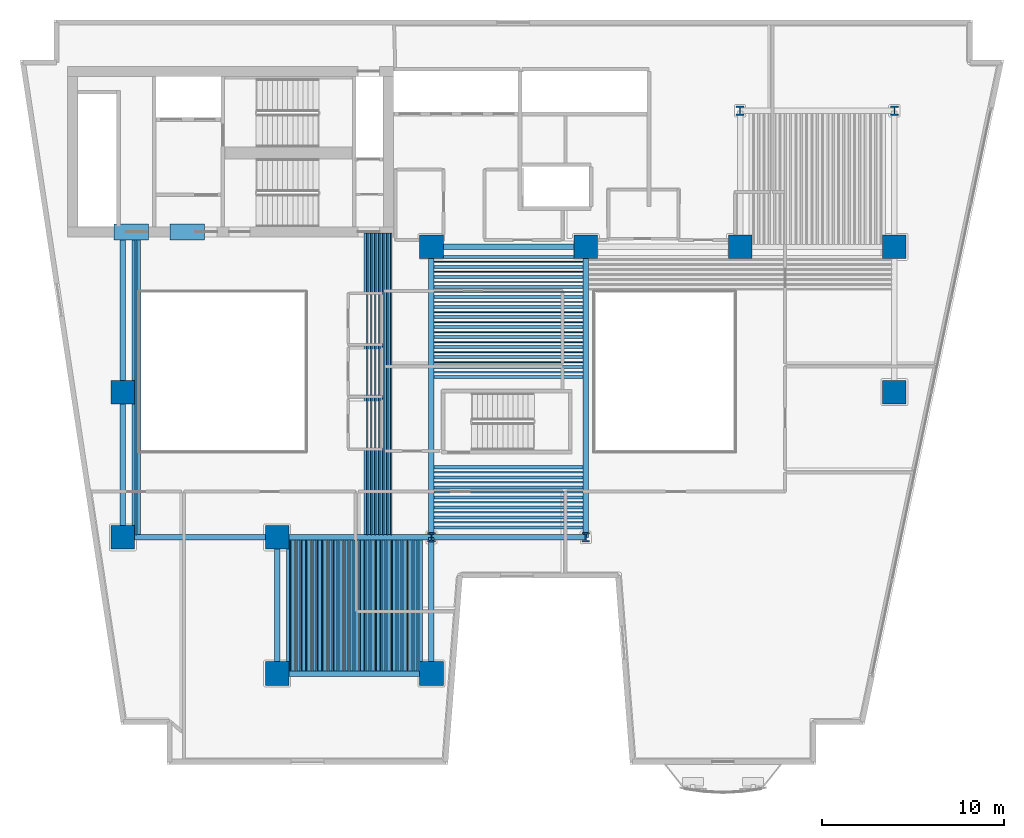
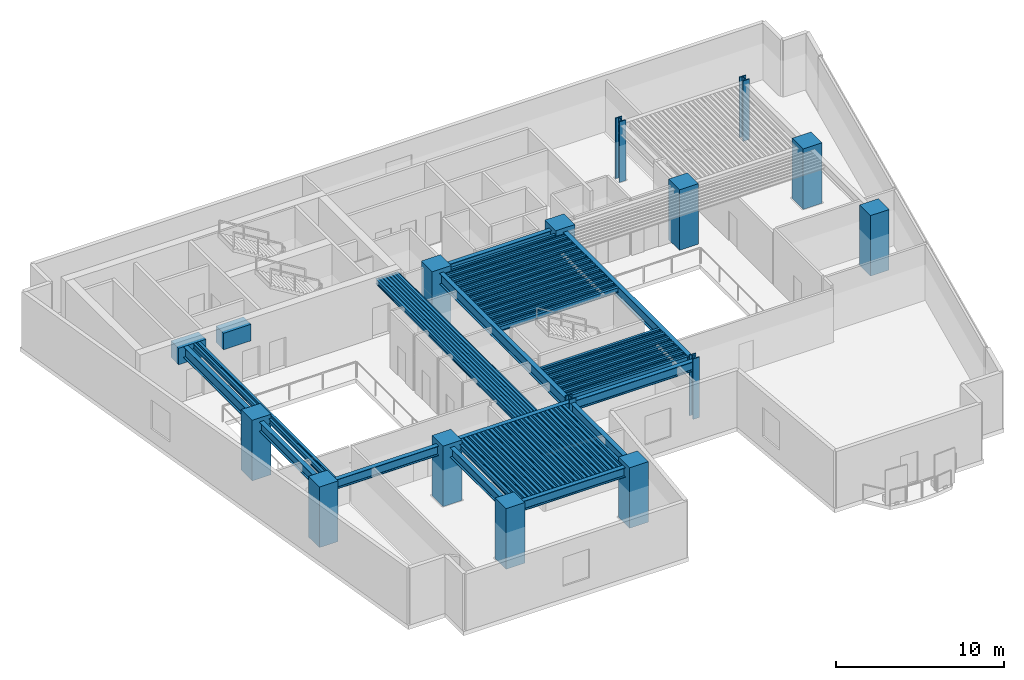
# One storey, part 1 of 11: 119 beams, 14 columns.
"""IFC4 building model written with IfcOpenShell, lengths in metres."""

from ifc_helpers import new_model, si_unit, direction, frame, origin, origin_2d, place, context, subcontext, project, spatial, rectangle, hollow_rectangle, i_section, extrude, material, material_profile, profile_set, type_object, element, save


model = new_model("IFC4")

# Units and contexts
model_context = context("Model", 3, precision=1e-05, world=origin(), true_north=direction((0.0, 1.0)))
body_context = subcontext(model_context, "Body", "Model", "MODEL_VIEW")
ifc_project = project(units=[si_unit("LENGTHUNIT", "METRE"), si_unit("AREAUNIT", "SQUARE_METRE"), si_unit("VOLUMEUNIT", "CUBIC_METRE"), si_unit("PLANEANGLEUNIT", "RADIAN"), si_unit("MASSUNIT", "GRAM", prefix="KILO")], contexts=[model_context])

# Site, building, storey
site_placement = place(None, origin())
site = spatial("IfcSite", under=ifc_project, at=site_placement, CompositionType="ELEMENT")
building_placement = place(site_placement, origin())
building = spatial("IfcBuilding", under=site, at=building_placement, Name="Caeloran Harvest Quay", CompositionType="ELEMENT")
storey_placement = place(building_placement, frame((0.0, 0.0, 75.39990234375)))
storey = spatial("IfcBuildingStorey", under=building, at=storey_placement, Name="L17", CompositionType="ELEMENT", Elevation=75.39990234375)

# Columns
ifc_material_1 = material(Name="Concrete C80/95", Category="concrete")
ifc_material_profile_1 = material_profile(ifc_material_1, rectangle(XDim=1.300048828125, YDim=1.300048828125, at=origin_2d()), Name="RC 1300x1300")
ifc_profile_set_1 = profile_set([ifc_material_profile_1], Name="Concrete C80/95")
column_type_1 = type_object("IfcColumnType", Name="COL-MC-2-RC_1300x1300", PredefinedType="COLUMN", material=ifc_profile_set_1)
for number, where, z_axis, x_axis, name in (
    (1, (8.5, 15.0, 0.0), (0.0, 0.0, 1.0), (1.0, 0.0, 0.0), "L17 Structural Column (8.5, 15.0)"),
    (2, (8.5, 23.0, 0.0), (0.0, 0.0, 1.0), (1.0, 0.0, 0.0), "L17 Structural Column (8.5, 23.0)"),
    (3, (17.0, 7.5, 0.0), (0.0, 0.0, 1.0), (1.0, 0.0, 0.0), "L17 Structural Column (17.0, 7.5)"),
    (4, (17.0, 15.0, 0.0), (0.0, 0.0, 1.0), (1.0, 0.0, 0.0), "L17 Structural Column (17.0, 15.0)"),
    (5, (25.5, 7.5, 0.0), (0.0, 0.0, 1.0), (1.0, 0.0, 0.0), "L17 Structural Column (25.5, 7.5)"),
    (6, (25.5, 31.0, 0.0), (0.0, 0.0, 1.0), (1.0, 0.0, 0.0), "L17 Structural Column (25.5, 31.0)"),
    (7, (34.0, 31.0, 0.0), (0.0, 0.0, 1.0), (1.0, 0.0, 0.0), "L17 Structural Column (34.0, 31.0)"),
    (8, (42.5, 31.0, 0.0), (0.0, 0.0, 1.0), (1.0, 0.0, 0.0), "L17 Structural Column (42.5, 31.0)"),
    (9, (51.0, 23.0, 0.0), (0.0, 0.0, 1.0), (1.0, 0.0, 0.0), "L17 Structural Column (51.0, 23.0)"),
    (10, (51.0, 31.0, 0.0), (0.0, 0.0, 1.0), (1.0, 0.0, 0.0), "L17 Structural Column (51.0, 31.0)"),
):
    element("IfcColumn", number, at=place(storey_placement, frame(where, z_axis=z_axis, x_axis=x_axis)), inside=storey, type_object=column_type_1, Name=name, PredefinedType="COLUMN", context=body_context, shape_type="SweptSolid", body=[
        extrude(rectangle(XDim=1.300048828125, YDim=1.300048828125, at=origin_2d()), origin(), (0.0, 0.0, 1.0), 4.400146484375),
    ])
ifc_material_2 = material(Name="Steel HISTAR 460", Category="steel")
ifc_material_profile_2 = material_profile(ifc_material_2, i_section(OverallWidth=0.43701171875, OverallDepth=0.513916015625, WebThickness=0.060546875, FlangeThickness=0.076904296875, FilletRadius=0.014892578125, at=origin_2d()), Name="HD 400x818")
ifc_profile_set_2 = profile_set([ifc_material_profile_2], Name="Steel HISTAR 460")
column_type_2 = type_object("IfcColumnType", Name="COL-SC-2-HD_400x818", PredefinedType="COLUMN", material=ifc_profile_set_2)
for number, where, z_axis, x_axis, name in (
    (11, (25.5, 15.0, 0.0), (0.0, 0.0, 1.0), (1.0, 0.0, 0.0), "L17 Structural Column (25.5, 15.0)"),
    (12, (34.0, 15.0, 0.0), (0.0, 0.0, 1.0), (1.0, 0.0, 0.0), "L17 Structural Column (34.0, 15.0)"),
    (13, (42.5, 38.5, 0.0), (0.0, 0.0, 1.0), (1.0, 0.0, 0.0), "L17 Structural Column (42.5, 38.5)"),
    (14, (51.0, 38.5, 0.0), (0.0, 0.0, 1.0), (1.0, 0.0, 0.0), "L17 Structural Column (51.0, 38.5)"),
):
    element("IfcColumn", number, at=place(storey_placement, frame(where, z_axis=z_axis, x_axis=x_axis)), inside=storey, type_object=column_type_2, Name=name, PredefinedType="COLUMN", context=body_context, shape_type="SweptSolid", body=[
        extrude(i_section(OverallWidth=0.43701171875, OverallDepth=0.513916015625, WebThickness=0.060546875, FlangeThickness=0.076904296875, FilletRadius=0.014892578125, at=origin_2d()), origin(), (0.0, 0.0, 1.0), 4.400146484375),
    ])

# Beams
ifc_material_profile_3 = material_profile(ifc_material_1, rectangle(XDim=0.89990234375, YDim=1.199951171875, at=origin_2d()), Name="RC 900x1200")
ifc_profile_set_3 = profile_set([ifc_material_profile_3], Name="Concrete C80/95")
beam_type_1 = type_object("IfcBeamType", Name="BM-CB-1-RC_900x1200", PredefinedType="LINTEL", material=ifc_profile_set_3)
for number, where, z_axis, x_axis, name in (
    (15, (8.0, 31.824951171875, 3.51513671875), (1.0, 0.0, 0.0), (0.0, 1.0, 0.0), "L17 Core Coupling Beam 1"),
    (16, (11.10009765625, 31.824951171875, 3.51513671875), (1.0, 0.0, 0.0), (0.0, 1.0, 0.0), "L17 Core Coupling Beam 2"),
):
    element("IfcBeam", number, at=place(storey_placement, frame(where, z_axis=z_axis, x_axis=x_axis)), inside=storey, type_object=beam_type_1, Name=name, PredefinedType="LINTEL", context=body_context, shape_type="SweptSolid", body=[
        extrude(rectangle(XDim=0.89990234375, YDim=1.199951171875, at=origin_2d()), origin(), (0.0, 0.0, 1.0), 1.89990234375),
    ])
ifc_material_3 = material(Name="Steel S355J2", Category="steel")
ifc_material_profile_4 = material_profile(ifc_material_3, i_section(OverallWidth=0.300048828125, OverallDepth=0.800048828125, WebThickness=0.017578125, FlangeThickness=0.032958984375, FilletRadius=0.030029296875, at=origin_2d()), Name="HE 800 B")
ifc_profile_set_4 = profile_set([ifc_material_profile_4], Name="Steel S355J2")
beam_type_2 = type_object("IfcBeamType", Name="BM-PG-1-HE_800_B", PredefinedType="BEAM", material=ifc_profile_set_4)
beam_1_placement = place(storey_placement, frame((8.5, 23.0, 3.715087890625), z_axis=(0.0, 1.0, 0.0), x_axis=(-1.0, 0.0, 0.0)))
element("IfcBeam", 17, at=beam_1_placement, inside=storey, type_object=beam_type_2, Name="L17 Core South Tie Girder X=8.5", PredefinedType="BEAM", context=body_context, shape_type="SweptSolid", body=[
    extrude(i_section(OverallWidth=0.300048828125, OverallDepth=0.800048828125, WebThickness=0.017578125, FlangeThickness=0.032958984375, FilletRadius=0.030029296875, at=origin_2d()), origin(), (0.0, 0.0, 1.0), 8.77490234375),
])
for number, where, z_axis, x_axis, name in (
    (18, (25.5, 15.0, 3.715087890625), (0.0, 1.0, 0.0), (-1.0, 0.0, 0.0), "L17 Primary North-South Girder X=25.5"),
    (19, (34.0, 15.0, 3.715087890625), (0.0, 1.0, 0.0), (-1.0, 0.0, 0.0), "L17 Primary North-South Girder X=34.0"),
):
    element("IfcBeam", number, at=place(storey_placement, frame(where, z_axis=z_axis, x_axis=x_axis)), inside=storey, type_object=beam_type_2, Name=name, PredefinedType="BEAM", context=body_context, shape_type="SweptSolid", body=[
        extrude(i_section(OverallWidth=0.300048828125, OverallDepth=0.800048828125, WebThickness=0.017578125, FlangeThickness=0.032958984375, FilletRadius=0.030029296875, at=origin_2d()), origin(), (0.0, 0.0, 1.0), 16.0),
    ])
ifc_material_profile_5 = material_profile(ifc_material_3, i_section(OverallWidth=0.300048828125, OverallDepth=0.699951171875, WebThickness=0.01708984375, FlangeThickness=0.031982421875, FilletRadius=0.027099609375, at=origin_2d()), Name="HE 700 B")
ifc_profile_set_5 = profile_set([ifc_material_profile_5], Name="Steel S355J2")
beam_type_3 = type_object("IfcBeamType", Name="BM-PG-2-HE_700_B", PredefinedType="BEAM", material=ifc_profile_set_5)
for number, where, z_axis, x_axis, name in (
    (20, (17.0, 7.5, 3.76513671875), (1.0, 0.0, 0.0), (0.0, 1.0, 0.0), "L17 Primary East-West Girder Y=7.5"),
    (21, (8.5, 15.0, 3.76513671875), (1.0, 0.0, 0.0), (0.0, 1.0, 0.0), "L17 Primary East-West Girder Y=15.0"),
    (22, (17.0, 15.0, 3.76513671875), (1.0, 0.0, 0.0), (0.0, 1.0, 0.0), "L17 Primary East-West Girder Y=15.0"),
    (23, (25.5, 15.0, 3.76513671875), (1.0, 0.0, 0.0), (0.0, 1.0, 0.0), "L17 Primary East-West Girder Y=15.0"),
    (24, (25.5, 31.0, 3.76513671875), (1.0, 0.0, 0.0), (0.0, 1.0, 0.0), "L17 Primary East-West Girder Y=31.0"),
):
    element("IfcBeam", number, at=place(storey_placement, frame(where, z_axis=z_axis, x_axis=x_axis)), inside=storey, type_object=beam_type_3, Name=name, PredefinedType="BEAM", context=body_context, shape_type="SweptSolid", body=[
        extrude(i_section(OverallWidth=0.300048828125, OverallDepth=0.699951171875, WebThickness=0.01708984375, FlangeThickness=0.031982421875, FilletRadius=0.027099609375, at=origin_2d()), origin(), (0.0, 0.0, 1.0), 8.5),
    ])
beam_2_placement = place(storey_placement, frame((8.5, 15.0, 3.76513671875), z_axis=(0.0, 1.0, 0.0), x_axis=(-1.0, 0.0, 0.0)))
element("IfcBeam", 25, at=beam_2_placement, inside=storey, type_object=beam_type_3, Name="L17 Primary North-South Girder X=8.5", PredefinedType="BEAM", context=body_context, shape_type="SweptSolid", body=[
    extrude(i_section(OverallWidth=0.300048828125, OverallDepth=0.699951171875, WebThickness=0.01708984375, FlangeThickness=0.031982421875, FilletRadius=0.027099609375, at=origin_2d()), origin(), (0.0, 0.0, 1.0), 8.0),
])
for number, where, z_axis, x_axis, name in (
    (26, (17.0, 7.5, 3.76513671875), (0.0, 1.0, 0.0), (-1.0, 0.0, 0.0), "L17 Primary North-South Girder X=17.0"),
    (27, (25.5, 7.5, 3.76513671875), (0.0, 1.0, 0.0), (-1.0, 0.0, 0.0), "L17 Primary North-South Girder X=25.5"),
):
    element("IfcBeam", number, at=place(storey_placement, frame(where, z_axis=z_axis, x_axis=x_axis)), inside=storey, type_object=beam_type_3, Name=name, PredefinedType="BEAM", context=body_context, shape_type="SweptSolid", body=[
        extrude(i_section(OverallWidth=0.300048828125, OverallDepth=0.699951171875, WebThickness=0.01708984375, FlangeThickness=0.031982421875, FilletRadius=0.027099609375, at=origin_2d()), origin(), (0.0, 0.0, 1.0), 7.5),
    ])
ifc_material_profile_6 = material_profile(ifc_material_3, i_section(OverallWidth=0.169921875, OverallDepth=0.360107421875, WebThickness=0.008056640625, FlangeThickness=0.0126953125, FilletRadius=0.01806640625, at=origin_2d()), Name="IPE 360")
ifc_profile_set_6 = profile_set([ifc_material_profile_6], Name="Steel S355J2")
beam_type_4 = type_object("IfcBeamType", Name="BM-SB-5-IPE_360", PredefinedType="JOIST", material=ifc_profile_set_6)
for number, where, z_axis, x_axis, name in (
    (28, (17.586181640625, 7.64501953125, 3.93505859375), (0.0, 1.0, 0.0), (-1.0, 0.0, 0.0), "L17 Secondary Composite Joist"),
    (29, (17.87939453125, 7.64501953125, 3.93505859375), (0.0, 1.0, 0.0), (-1.0, 0.0, 0.0), "L17 Secondary Composite Joist"),
    (30, (18.17236328125, 7.64501953125, 3.93505859375), (0.0, 1.0, 0.0), (-1.0, 0.0, 0.0), "L17 Secondary Composite Joist"),
    (31, (18.465576171875, 7.64501953125, 3.93505859375), (0.0, 1.0, 0.0), (-1.0, 0.0, 0.0), "L17 Secondary Composite Joist"),
    (32, (18.758544921875, 7.64501953125, 3.93505859375), (0.0, 1.0, 0.0), (-1.0, 0.0, 0.0), "L17 Secondary Composite Joist"),
    (33, (19.0517578125, 7.64501953125, 3.93505859375), (0.0, 1.0, 0.0), (-1.0, 0.0, 0.0), "L17 Secondary Composite Joist"),
    (34, (19.3447265625, 7.64501953125, 3.93505859375), (0.0, 1.0, 0.0), (-1.0, 0.0, 0.0), "L17 Secondary Composite Joist"),
    (35, (19.637939453125, 7.64501953125, 3.93505859375), (0.0, 1.0, 0.0), (-1.0, 0.0, 0.0), "L17 Secondary Composite Joist"),
    (36, (19.930908203125, 7.64501953125, 3.93505859375), (0.0, 1.0, 0.0), (-1.0, 0.0, 0.0), "L17 Secondary Composite Joist"),
    (37, (20.22412109375, 7.64501953125, 3.93505859375), (0.0, 1.0, 0.0), (-1.0, 0.0, 0.0), "L17 Secondary Composite Joist"),
    (38, (20.51708984375, 7.64501953125, 3.93505859375), (0.0, 1.0, 0.0), (-1.0, 0.0, 0.0), "L17 Secondary Composite Joist"),
    (39, (20.810302734375, 7.64501953125, 3.93505859375), (0.0, 1.0, 0.0), (-1.0, 0.0, 0.0), "L17 Secondary Composite Joist"),
    (40, (21.103515625, 7.64501953125, 3.93505859375), (0.0, 1.0, 0.0), (-1.0, 0.0, 0.0), "L17 Secondary Composite Joist"),
    (41, (21.396484375, 7.64501953125, 3.93505859375), (0.0, 1.0, 0.0), (-1.0, 0.0, 0.0), "L17 Secondary Composite Joist"),
    (42, (21.689697265625, 7.64501953125, 3.93505859375), (0.0, 1.0, 0.0), (-1.0, 0.0, 0.0), "L17 Secondary Composite Joist"),
    (43, (21.98291015625, 7.64501953125, 3.93505859375), (0.0, 1.0, 0.0), (-1.0, 0.0, 0.0), "L17 Secondary Composite Joist"),
    (44, (22.27587890625, 7.64501953125, 3.93505859375), (0.0, 1.0, 0.0), (-1.0, 0.0, 0.0), "L17 Secondary Composite Joist"),
    (45, (22.569091796875, 7.64501953125, 3.93505859375), (0.0, 1.0, 0.0), (-1.0, 0.0, 0.0), "L17 Secondary Composite Joist"),
    (46, (22.862060546875, 7.64501953125, 3.93505859375), (0.0, 1.0, 0.0), (-1.0, 0.0, 0.0), "L17 Secondary Composite Joist"),
    (47, (23.1552734375, 7.64501953125, 3.93505859375), (0.0, 1.0, 0.0), (-1.0, 0.0, 0.0), "L17 Secondary Composite Joist"),
    (48, (23.4482421875, 7.64501953125, 3.93505859375), (0.0, 1.0, 0.0), (-1.0, 0.0, 0.0), "L17 Secondary Composite Joist"),
    (49, (23.741455078125, 7.64501953125, 3.93505859375), (0.0, 1.0, 0.0), (-1.0, 0.0, 0.0), "L17 Secondary Composite Joist"),
    (50, (24.034423828125, 7.64501953125, 3.93505859375), (0.0, 1.0, 0.0), (-1.0, 0.0, 0.0), "L17 Secondary Composite Joist"),
    (51, (24.32763671875, 7.64501953125, 3.93505859375), (0.0, 1.0, 0.0), (-1.0, 0.0, 0.0), "L17 Secondary Composite Joist"),
    (52, (24.62060546875, 7.64501953125, 3.93505859375), (0.0, 1.0, 0.0), (-1.0, 0.0, 0.0), "L17 Secondary Composite Joist"),
    (53, (24.913818359375, 7.64501953125, 3.93505859375), (0.0, 1.0, 0.0), (-1.0, 0.0, 0.0), "L17 Secondary Composite Joist"),
):
    element("IfcBeam", number, at=place(storey_placement, frame(where, z_axis=z_axis, x_axis=x_axis)), inside=storey, type_object=beam_type_4, Name=name, PredefinedType="JOIST", context=body_context, shape_type="SweptSolid", body=[
        extrude(i_section(OverallWidth=0.169921875, OverallDepth=0.360107421875, WebThickness=0.008056640625, FlangeThickness=0.0126953125, FilletRadius=0.01806640625, at=origin_2d()), origin(), (0.0, 0.0, 1.0), 7.2099609375),
    ])
for number, where, z_axis, x_axis, name in (
    (54, (9.086181640625, 15.14501953125, 3.93505859375), (0.0, 1.0, 0.0), (-1.0, 0.0, 0.0), "L17 Secondary Composite Joist"),
    (55, (9.37939453125, 15.14501953125, 3.93505859375), (0.0, 1.0, 0.0), (-1.0, 0.0, 0.0), "L17 Secondary Composite Joist"),
    (56, (21.855224609375, 15.14501953125, 3.93505859375), (0.0, 1.0, 0.0), (-1.0, 0.0, 0.0), "L17 Secondary Composite Joist"),
    (57, (22.075927734375, 15.14501953125, 3.93505859375), (0.0, 1.0, 0.0), (-1.0, 0.0, 0.0), "L17 Secondary Composite Joist"),
    (58, (22.296630859375, 15.14501953125, 3.93505859375), (0.0, 1.0, 0.0), (-1.0, 0.0, 0.0), "L17 Secondary Composite Joist"),
    (59, (22.51708984375, 15.14501953125, 3.93505859375), (0.0, 1.0, 0.0), (-1.0, 0.0, 0.0), "L17 Secondary Composite Joist"),
    (60, (22.73779296875, 15.14501953125, 3.93505859375), (0.0, 1.0, 0.0), (-1.0, 0.0, 0.0), "L17 Secondary Composite Joist"),
    (61, (22.95849609375, 15.14501953125, 3.93505859375), (0.0, 1.0, 0.0), (-1.0, 0.0, 0.0), "L17 Secondary Composite Joist"),
    (62, (23.17919921875, 15.14501953125, 3.93505859375), (0.0, 1.0, 0.0), (-1.0, 0.0, 0.0), "L17 Secondary Composite Joist"),
):
    element("IfcBeam", number, at=place(storey_placement, frame(where, z_axis=z_axis, x_axis=x_axis)), inside=storey, type_object=beam_type_4, Name=name, PredefinedType="JOIST", context=body_context, shape_type="SweptSolid", body=[
        extrude(i_section(OverallWidth=0.169921875, OverallDepth=0.360107421875, WebThickness=0.008056640625, FlangeThickness=0.0126953125, FilletRadius=0.01806640625, at=origin_2d()), origin(), (0.0, 0.0, 1.0), 16.6298828125),
    ])
for number, where, z_axis, x_axis, name in (
    (63, (25.64501953125, 15.5517578125, 3.93505859375), (1.0, 0.0, 0.0), (0.0, 1.0, 0.0), "L17 Secondary East-West Composite Joist"),
    (64, (25.64501953125, 16.103515625, 3.93505859375), (1.0, 0.0, 0.0), (0.0, 1.0, 0.0), "L17 Secondary East-West Composite Joist"),
    (65, (25.64501953125, 16.6552734375, 3.93505859375), (1.0, 0.0, 0.0), (0.0, 1.0, 0.0), "L17 Secondary East-West Composite Joist"),
    (66, (25.64501953125, 17.206787109375, 3.93505859375), (1.0, 0.0, 0.0), (0.0, 1.0, 0.0), "L17 Secondary East-West Composite Joist"),
    (67, (25.64501953125, 17.758544921875, 3.93505859375), (1.0, 0.0, 0.0), (0.0, 1.0, 0.0), "L17 Secondary East-West Composite Joist"),
    (68, (25.64501953125, 18.310302734375, 3.93505859375), (1.0, 0.0, 0.0), (0.0, 1.0, 0.0), "L17 Secondary East-West Composite Joist"),
    (69, (25.64501953125, 18.862060546875, 3.93505859375), (1.0, 0.0, 0.0), (0.0, 1.0, 0.0), "L17 Secondary East-West Composite Joist"),
    (70, (25.64501953125, 23.82763671875, 3.93505859375), (1.0, 0.0, 0.0), (0.0, 1.0, 0.0), "L17 Secondary East-West Composite Joist"),
    (71, (25.64501953125, 24.37939453125, 3.93505859375), (1.0, 0.0, 0.0), (0.0, 1.0, 0.0), "L17 Secondary East-West Composite Joist"),
    (72, (25.64501953125, 24.930908203125, 3.93505859375), (1.0, 0.0, 0.0), (0.0, 1.0, 0.0), "L17 Secondary East-West Composite Joist"),
    (73, (25.64501953125, 25.48291015625, 3.93505859375), (1.0, 0.0, 0.0), (0.0, 1.0, 0.0), "L17 Secondary East-West Composite Joist"),
    (74, (25.64501953125, 26.034423828125, 3.93505859375), (1.0, 0.0, 0.0), (0.0, 1.0, 0.0), "L17 Secondary East-West Composite Joist"),
    (75, (25.64501953125, 26.586181640625, 3.93505859375), (1.0, 0.0, 0.0), (0.0, 1.0, 0.0), "L17 Secondary East-West Composite Joist"),
    (76, (25.64501953125, 27.137939453125, 3.93505859375), (1.0, 0.0, 0.0), (0.0, 1.0, 0.0), "L17 Secondary East-West Composite Joist"),
    (77, (25.64501953125, 27.689697265625, 3.93505859375), (1.0, 0.0, 0.0), (0.0, 1.0, 0.0), "L17 Secondary East-West Composite Joist"),
    (78, (25.64501953125, 28.241455078125, 3.93505859375), (1.0, 0.0, 0.0), (0.0, 1.0, 0.0), "L17 Secondary East-West Composite Joist"),
    (79, (25.64501953125, 28.793212890625, 3.93505859375), (1.0, 0.0, 0.0), (0.0, 1.0, 0.0), "L17 Secondary East-West Composite Joist"),
    (80, (25.64501953125, 29.3447265625, 3.93505859375), (1.0, 0.0, 0.0), (0.0, 1.0, 0.0), "L17 Secondary East-West Composite Joist"),
    (81, (25.64501953125, 29.896484375, 3.93505859375), (1.0, 0.0, 0.0), (0.0, 1.0, 0.0), "L17 Secondary East-West Composite Joist"),
    (82, (25.64501953125, 30.4482421875, 3.93505859375), (1.0, 0.0, 0.0), (0.0, 1.0, 0.0), "L17 Secondary East-West Composite Joist"),
):
    element("IfcBeam", number, at=place(storey_placement, frame(where, z_axis=z_axis, x_axis=x_axis)), inside=storey, type_object=beam_type_4, Name=name, PredefinedType="JOIST", context=body_context, shape_type="SweptSolid", body=[
        extrude(i_section(OverallWidth=0.169921875, OverallDepth=0.360107421875, WebThickness=0.008056640625, FlangeThickness=0.0126953125, FilletRadius=0.01806640625, at=origin_2d()), origin(), (0.0, 0.0, 1.0), 8.2099609375),
    ])
ifc_material_profile_7 = material_profile(ifc_material_3, hollow_rectangle(XDim=0.080078125, YDim=0.199951171875, WallThickness=0.006103515625, InnerFilletRadius=0.006103515625, OuterFilletRadius=0.009033203125, at=origin_2d()), Name="RHS 200x80x6")
ifc_profile_set_7 = profile_set([ifc_material_profile_7], Name="Steel S355J2")
beam_type_5 = type_object("IfcBeamType", Name="BM-SB-7-RHS_200x80x6", PredefinedType="JOIST", material=ifc_profile_set_7)
for number, where, z_axis, x_axis, name in (
    (83, (17.73291015625, 7.64501953125, 4.01513671875), (0.0, 1.0, 0.0), (-1.0, 0.0, 0.0), "L17 Secondary Composite Joist"),
    (84, (18.02587890625, 7.64501953125, 4.01513671875), (0.0, 1.0, 0.0), (-1.0, 0.0, 0.0), "L17 Secondary Composite Joist"),
    (85, (18.319091796875, 7.64501953125, 4.01513671875), (0.0, 1.0, 0.0), (-1.0, 0.0, 0.0), "L17 Secondary Composite Joist"),
    (86, (18.612060546875, 7.64501953125, 4.01513671875), (0.0, 1.0, 0.0), (-1.0, 0.0, 0.0), "L17 Secondary Composite Joist"),
    (87, (18.9052734375, 7.64501953125, 4.01513671875), (0.0, 1.0, 0.0), (-1.0, 0.0, 0.0), "L17 Secondary Composite Joist"),
    (88, (19.1982421875, 7.64501953125, 4.01513671875), (0.0, 1.0, 0.0), (-1.0, 0.0, 0.0), "L17 Secondary Composite Joist"),
    (89, (19.491455078125, 7.64501953125, 4.01513671875), (0.0, 1.0, 0.0), (-1.0, 0.0, 0.0), "L17 Secondary Composite Joist"),
    (90, (19.784423828125, 7.64501953125, 4.01513671875), (0.0, 1.0, 0.0), (-1.0, 0.0, 0.0), "L17 Secondary Composite Joist"),
    (91, (20.07763671875, 7.64501953125, 4.01513671875), (0.0, 1.0, 0.0), (-1.0, 0.0, 0.0), "L17 Secondary Composite Joist"),
    (92, (20.37060546875, 7.64501953125, 4.01513671875), (0.0, 1.0, 0.0), (-1.0, 0.0, 0.0), "L17 Secondary Composite Joist"),
    (93, (20.663818359375, 7.64501953125, 4.01513671875), (0.0, 1.0, 0.0), (-1.0, 0.0, 0.0), "L17 Secondary Composite Joist"),
    (94, (20.956787109375, 7.64501953125, 4.01513671875), (0.0, 1.0, 0.0), (-1.0, 0.0, 0.0), "L17 Secondary Composite Joist"),
    (95, (21.25, 7.64501953125, 4.01513671875), (0.0, 1.0, 0.0), (-1.0, 0.0, 0.0), "L17 Secondary Composite Joist"),
    (96, (21.543212890625, 7.64501953125, 4.01513671875), (0.0, 1.0, 0.0), (-1.0, 0.0, 0.0), "L17 Secondary Composite Joist"),
    (97, (21.836181640625, 7.64501953125, 4.01513671875), (0.0, 1.0, 0.0), (-1.0, 0.0, 0.0), "L17 Secondary Composite Joist"),
    (98, (22.12939453125, 7.64501953125, 4.01513671875), (0.0, 1.0, 0.0), (-1.0, 0.0, 0.0), "L17 Secondary Composite Joist"),
    (99, (22.42236328125, 7.64501953125, 4.01513671875), (0.0, 1.0, 0.0), (-1.0, 0.0, 0.0), "L17 Secondary Composite Joist"),
    (100, (22.715576171875, 7.64501953125, 4.01513671875), (0.0, 1.0, 0.0), (-1.0, 0.0, 0.0), "L17 Secondary Composite Joist"),
    (101, (23.008544921875, 7.64501953125, 4.01513671875), (0.0, 1.0, 0.0), (-1.0, 0.0, 0.0), "L17 Secondary Composite Joist"),
    (102, (23.3017578125, 7.64501953125, 4.01513671875), (0.0, 1.0, 0.0), (-1.0, 0.0, 0.0), "L17 Secondary Composite Joist"),
    (103, (23.5947265625, 7.64501953125, 4.01513671875), (0.0, 1.0, 0.0), (-1.0, 0.0, 0.0), "L17 Secondary Composite Joist"),
    (104, (23.887939453125, 7.64501953125, 4.01513671875), (0.0, 1.0, 0.0), (-1.0, 0.0, 0.0), "L17 Secondary Composite Joist"),
    (105, (24.180908203125, 7.64501953125, 4.01513671875), (0.0, 1.0, 0.0), (-1.0, 0.0, 0.0), "L17 Secondary Composite Joist"),
    (106, (24.47412109375, 7.64501953125, 4.01513671875), (0.0, 1.0, 0.0), (-1.0, 0.0, 0.0), "L17 Secondary Composite Joist"),
    (107, (24.76708984375, 7.64501953125, 4.01513671875), (0.0, 1.0, 0.0), (-1.0, 0.0, 0.0), "L17 Secondary Composite Joist"),
):
    element("IfcBeam", number, at=place(storey_placement, frame(where, z_axis=z_axis, x_axis=x_axis)), inside=storey, type_object=beam_type_5, Name=name, PredefinedType="JOIST", context=body_context, shape_type="SweptSolid", body=[
        extrude(hollow_rectangle(XDim=0.080078125, YDim=0.199951171875, WallThickness=0.006103515625, InnerFilletRadius=0.006103515625, OuterFilletRadius=0.009033203125, at=origin_2d()), origin(), (0.0, 0.0, 1.0), 7.2099609375),
    ])
for number, where, z_axis, x_axis, name in (
    (108, (9.23291015625, 15.14501953125, 4.01513671875), (0.0, 1.0, 0.0), (-1.0, 0.0, 0.0), "L17 Secondary Composite Joist"),
    (109, (21.965576171875, 15.14501953125, 4.01513671875), (0.0, 1.0, 0.0), (-1.0, 0.0, 0.0), "L17 Secondary Composite Joist"),
    (110, (22.186279296875, 15.14501953125, 4.01513671875), (0.0, 1.0, 0.0), (-1.0, 0.0, 0.0), "L17 Secondary Composite Joist"),
    (111, (22.406982421875, 15.14501953125, 4.01513671875), (0.0, 1.0, 0.0), (-1.0, 0.0, 0.0), "L17 Secondary Composite Joist"),
    (112, (22.627685546875, 15.14501953125, 4.01513671875), (0.0, 1.0, 0.0), (-1.0, 0.0, 0.0), "L17 Secondary Composite Joist"),
    (113, (22.848388671875, 15.14501953125, 4.01513671875), (0.0, 1.0, 0.0), (-1.0, 0.0, 0.0), "L17 Secondary Composite Joist"),
    (114, (23.069091796875, 15.14501953125, 4.01513671875), (0.0, 1.0, 0.0), (-1.0, 0.0, 0.0), "L17 Secondary Composite Joist"),
    (115, (23.289794921875, 15.14501953125, 4.01513671875), (0.0, 1.0, 0.0), (-1.0, 0.0, 0.0), "L17 Secondary Composite Joist"),
):
    element("IfcBeam", number, at=place(storey_placement, frame(where, z_axis=z_axis, x_axis=x_axis)), inside=storey, type_object=beam_type_5, Name=name, PredefinedType="JOIST", context=body_context, shape_type="SweptSolid", body=[
        extrude(hollow_rectangle(XDim=0.080078125, YDim=0.199951171875, WallThickness=0.006103515625, InnerFilletRadius=0.006103515625, OuterFilletRadius=0.009033203125, at=origin_2d()), origin(), (0.0, 0.0, 1.0), 16.6298828125),
    ])
for number, where, z_axis, x_axis, name in (
    (116, (25.64501953125, 15.82763671875, 4.01513671875), (1.0, 0.0, 0.0), (0.0, 1.0, 0.0), "L17 Secondary East-West Composite Joist"),
    (117, (25.64501953125, 16.37939453125, 4.01513671875), (1.0, 0.0, 0.0), (0.0, 1.0, 0.0), "L17 Secondary East-West Composite Joist"),
    (118, (25.64501953125, 16.930908203125, 4.01513671875), (1.0, 0.0, 0.0), (0.0, 1.0, 0.0), "L17 Secondary East-West Composite Joist"),
    (119, (25.64501953125, 17.48291015625, 4.01513671875), (1.0, 0.0, 0.0), (0.0, 1.0, 0.0), "L17 Secondary East-West Composite Joist"),
    (120, (25.64501953125, 18.034423828125, 4.01513671875), (1.0, 0.0, 0.0), (0.0, 1.0, 0.0), "L17 Secondary East-West Composite Joist"),
    (121, (25.64501953125, 18.586181640625, 4.01513671875), (1.0, 0.0, 0.0), (0.0, 1.0, 0.0), "L17 Secondary East-West Composite Joist"),
    (122, (25.64501953125, 24.103515625, 4.01513671875), (1.0, 0.0, 0.0), (0.0, 1.0, 0.0), "L17 Secondary East-West Composite Joist"),
    (123, (25.64501953125, 24.6552734375, 4.01513671875), (1.0, 0.0, 0.0), (0.0, 1.0, 0.0), "L17 Secondary East-West Composite Joist"),
    (124, (25.64501953125, 25.206787109375, 4.01513671875), (1.0, 0.0, 0.0), (0.0, 1.0, 0.0), "L17 Secondary East-West Composite Joist"),
    (125, (25.64501953125, 25.758544921875, 4.01513671875), (1.0, 0.0, 0.0), (0.0, 1.0, 0.0), "L17 Secondary East-West Composite Joist"),
    (126, (25.64501953125, 26.310302734375, 4.01513671875), (1.0, 0.0, 0.0), (0.0, 1.0, 0.0), "L17 Secondary East-West Composite Joist"),
    (127, (25.64501953125, 26.862060546875, 4.01513671875), (1.0, 0.0, 0.0), (0.0, 1.0, 0.0), "L17 Secondary East-West Composite Joist"),
    (128, (25.64501953125, 27.413818359375, 4.01513671875), (1.0, 0.0, 0.0), (0.0, 1.0, 0.0), "L17 Secondary East-West Composite Joist"),
    (129, (25.64501953125, 27.965576171875, 4.01513671875), (1.0, 0.0, 0.0), (0.0, 1.0, 0.0), "L17 Secondary East-West Composite Joist"),
    (130, (25.64501953125, 28.51708984375, 4.01513671875), (1.0, 0.0, 0.0), (0.0, 1.0, 0.0), "L17 Secondary East-West Composite Joist"),
    (131, (25.64501953125, 29.069091796875, 4.01513671875), (1.0, 0.0, 0.0), (0.0, 1.0, 0.0), "L17 Secondary East-West Composite Joist"),
    (132, (25.64501953125, 29.62060546875, 4.01513671875), (1.0, 0.0, 0.0), (0.0, 1.0, 0.0), "L17 Secondary East-West Composite Joist"),
    (133, (25.64501953125, 30.17236328125, 4.01513671875), (1.0, 0.0, 0.0), (0.0, 1.0, 0.0), "L17 Secondary East-West Composite Joist"),
):
    element("IfcBeam", number, at=place(storey_placement, frame(where, z_axis=z_axis, x_axis=x_axis)), inside=storey, type_object=beam_type_5, Name=name, PredefinedType="JOIST", context=body_context, shape_type="SweptSolid", body=[
        extrude(hollow_rectangle(XDim=0.080078125, YDim=0.199951171875, WallThickness=0.006103515625, InnerFilletRadius=0.006103515625, OuterFilletRadius=0.009033203125, at=origin_2d()), origin(), (0.0, 0.0, 1.0), 8.2099609375),
    ])

save(model, "model.ifc")
